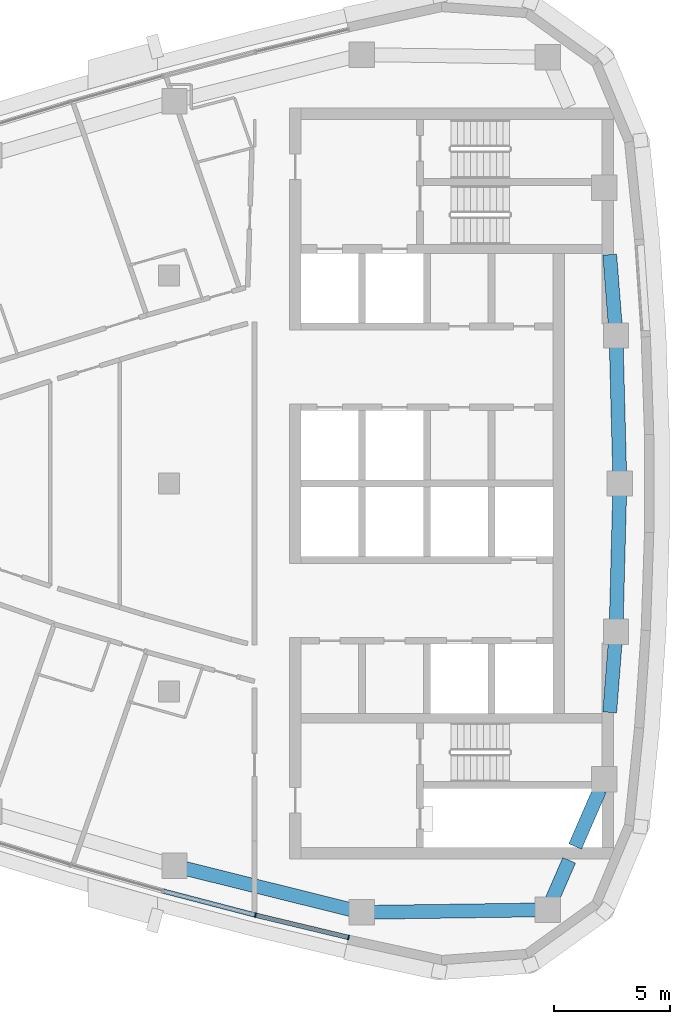
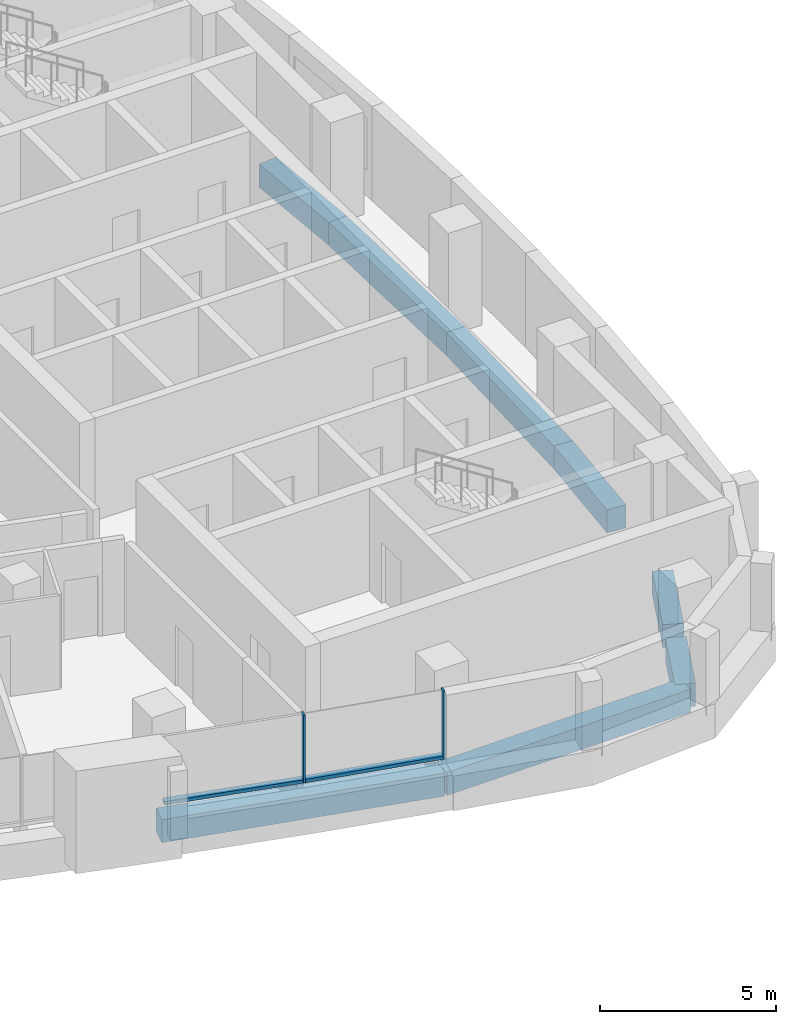
# One storey, part 4 of 14: 8 beams, 4 members, 1 element without a shape of its own.
"""IFC4 building model written with IfcOpenShell, lengths in metres."""

from ifc_helpers import new_model, si_unit, direction, frame, origin, origin_2d, place, context, subcontext, project, spatial, rectangle, extrude, material, layer, layer_set, material_profile, profile_set, type_object, element, aggregate, save


model = new_model("IFC4")

# Units and contexts
model_context = context("Model", 3, precision=1e-05, world=origin(), true_north=direction((0.0, 1.0)))
body_context = subcontext(model_context, "Body", "Model", "MODEL_VIEW")
ifc_project = project(units=[si_unit("LENGTHUNIT", "METRE"), si_unit("AREAUNIT", "SQUARE_METRE"), si_unit("VOLUMEUNIT", "CUBIC_METRE"), si_unit("PLANEANGLEUNIT", "RADIAN"), si_unit("MASSUNIT", "GRAM", prefix="KILO")], contexts=[model_context])

# Site, building, storey
site_placement = place(None, origin())
site = spatial("IfcSite", under=ifc_project, at=site_placement, CompositionType="ELEMENT")
building_placement = place(site_placement, origin())
building = spatial("IfcBuilding", under=site, at=building_placement, Name="Ostrand Prow Hotel Tower", CompositionType="ELEMENT")
storey_placement = place(building_placement, frame((0.0, 0.0, 296.300048828125)))
storey = spatial("IfcBuildingStorey", under=building, at=storey_placement, Name="L75", CompositionType="ELEMENT", Elevation=296.300048828125)

# Beams
ifc_material_1 = material(Name="Concrete C50/60", Category="concrete")
ifc_material_profile_1 = material_profile(ifc_material_1, rectangle(XDim=0.60009765625, YDim=0.800048828125, at=origin_2d()), Name="RC 600x800")
ifc_profile_set_1 = profile_set([ifc_material_profile_1], Name="Concrete C50/60")
beam_type = type_object("IfcBeamType", Name="Edge beam 600x800 C50/60", PredefinedType="SPANDREL", material=ifc_profile_set_1)
beam_1_placement = place(storey_placement, frame((45.234619140625, -16.53857421875, -0.699951171875), z_axis=(0.970456465292, -0.241276291775, 0.0), x_axis=(0.241276291775, 0.970456465292, 0.0)))
element("IfcBeam", 1, at=beam_1_placement, inside=storey, type_object=beam_type, Name="Edge beam S5-S6", PredefinedType="SPANDREL", context=body_context, shape_type="SweptSolid", body=[
    extrude(rectangle(XDim=0.60009765625, YDim=0.800048828125, at=origin_2d()), origin(), (0.0, 0.0, 1.0), 8.348876953125),
])
beam_2_placement = place(storey_placement, frame((53.3369140625, -18.552978515625, -0.699951171875), z_axis=(0.999900689486, 0.014092947356, 0.0), x_axis=(-0.014092947356, 0.999900689486, 0.0)))
element("IfcBeam", 2, at=beam_2_placement, inside=storey, type_object=beam_type, Name="Edge beam S6-SE", PredefinedType="SPANDREL", context=body_context, shape_type="SweptSolid", body=[
    extrude(rectangle(XDim=0.60009765625, YDim=0.800048828125, at=origin_2d()), origin(), (0.0, 0.0, 1.0), 8.0380859375),
])
beam_3_placement = place(storey_placement, frame((61.374267578125, -18.439697265625, -0.699951171875), z_axis=(0.398863844187, 0.91701016014, 0.0), x_axis=(-0.91701016014, 0.398863844187, 0.0)))
element("IfcBeam", 3, at=beam_3_placement, inside=storey, type_object=beam_type, Name="Edge beam SE-B1", PredefinedType="SPANDREL", context=body_context, shape_type="SweptSolid", body=[
    extrude(rectangle(XDim=0.60009765625, YDim=0.800048828125, at=origin_2d()), origin(), (0.0, 0.0, 1.0), 2.333251953125),
])
beam_4_placement = place(storey_placement, frame((62.56591796875, -15.699951171875, -0.699951171875), z_axis=(0.398799624102, 0.917038090712, 0.0), x_axis=(-0.917038090712, 0.398799624102, 0.0)))
element("IfcBeam", 4, at=beam_4_placement, inside=storey, type_object=beam_type, Name="Edge beam SE-B1", PredefinedType="SPANDREL", context=body_context, shape_type="SweptSolid", body=[
    extrude(rectangle(XDim=0.60009765625, YDim=0.800048828125, at=origin_2d()), origin(), (0.0, 0.0, 1.0), 2.671630859375),
])
beam_5_placement = place(storey_placement, frame((64.058349609375, -9.89990234375, -0.699951171875), z_axis=(0.078240080308, 0.996934546414, 0.0), x_axis=(-0.996934546414, 0.078240080308, 0.0)))
element("IfcBeam", 5, at=beam_5_placement, inside=storey, type_object=beam_type, Name="Edge beam B1-B2", PredefinedType="SPANDREL", context=body_context, shape_type="SweptSolid", body=[
    extrude(rectangle(XDim=0.60009765625, YDim=0.800048828125, at=origin_2d()), origin(), (0.0, 0.0, 1.0), 3.50732421875),
])
for number, where, z_axis, x_axis, name in (
    (6, (64.332763671875, -6.4033203125, -0.699951171875), (0.026108223987, 0.999659122221, 0.0), (-0.999659122221, 0.026108223987, 0.0), "Edge beam B2-B3"),
    (7, (64.5, 0.0, -0.699951171875), (-0.026108223987, 0.999659122221, 0.0), (-0.999659122221, -0.026108223987, 0.0), "Edge beam B3-B4"),
):
    element("IfcBeam", number, at=place(storey_placement, frame(where, z_axis=z_axis, x_axis=x_axis)), inside=storey, type_object=beam_type, Name=name, PredefinedType="SPANDREL", context=body_context, shape_type="SweptSolid", body=[
        extrude(rectangle(XDim=0.60009765625, YDim=0.800048828125, at=origin_2d()), origin(), (0.0, 0.0, 1.0), 6.405517578125),
    ])
beam_6_placement = place(storey_placement, frame((64.332763671875, 6.4033203125, -0.699951171875), z_axis=(-0.078240080308, 0.996934546414, 0.0), x_axis=(-0.996934546414, -0.078240080308, 0.0)))
element("IfcBeam", 8, at=beam_6_placement, inside=storey, type_object=beam_type, Name="Edge beam B4-B5", PredefinedType="SPANDREL", context=body_context, shape_type="SweptSolid", body=[
    extrude(rectangle(XDim=0.60009765625, YDim=0.800048828125, at=origin_2d()), origin(), (0.0, 0.0, 1.0), 3.50732421875),
])

# Curtain wall, members
ifc_material_2 = material(Name="Insulated glass in bronze anodised frame", Category="glass")
ifc_layer = layer(ifc_material_2, 0.199951171875)
ifc_layer_set = layer_set([ifc_layer], Name="Insulated glass in bronze anodised frame")
curtain_wall_type = type_object("IfcCurtainWallType", Name="Strip curtain wall, fritted glass over bronze spandrel", PredefinedType="NOTDEFINED", material=ifc_layer_set)
curtain_wall_placement = place(storey_placement, origin())
curtain_wall = element("IfcCurtainWall", 9, at=curtain_wall_placement, inside=storey, type_object=curtain_wall_type, Name="CW1 run CWS5", PredefinedType="NOTDEFINED")
ifc_material_3 = material(Name="Bronze anodised aluminium", Category="aluminium")
ifc_material_profile_2 = material_profile(ifc_material_3, rectangle(XDim=0.199951171875, YDim=0.06005859375, at=origin_2d()), Name="Mullion 60x200 bronze anodised aluminium")
ifc_profile_set_2 = profile_set([ifc_material_profile_2], Name="Bronze anodised aluminium")
member_type_1 = type_object("IfcMemberType", Name="Mullion 60x200 bronze anodised aluminium", PredefinedType="MULLION", material=ifc_profile_set_2)
member_1_placement = place(storey_placement, frame((48.734619140625, -18.6708984375, 0.89990234375), z_axis=(0.0, 0.0, 1.0), x_axis=(0.232746096028, 0.972537533869, 0.0)))
member_1 = element("IfcMember", 10, at=member_1_placement, type_object=member_type_1, Name="CW1 mullion 2", PredefinedType="MULLION", context=body_context, shape_type="SweptSolid", body=[
    extrude(rectangle(XDim=0.199951171875, YDim=0.06005859375, at=origin_2d()), origin(), (0.0, 0.0, 1.0), 2.35009765625),
])
member_2_placement = place(storey_placement, frame((52.7607421875, -19.634521484375, 0.89990234375), z_axis=(0.0, 0.0, 1.0), x_axis=(0.232746096028, 0.972537533869, 0.0)))
member_2 = element("IfcMember", 11, at=member_2_placement, type_object=member_type_1, Name="CW1 mullion 3", PredefinedType="MULLION", context=body_context, shape_type="SweptSolid", body=[
    extrude(rectangle(XDim=0.199951171875, YDim=0.06005859375, at=origin_2d()), origin(), (0.0, 0.0, 1.0), 2.35009765625),
])
ifc_material_4 = material(Name="Bronze anodised aluminium", Category="aluminium")
ifc_material_profile_3 = material_profile(ifc_material_4, rectangle(XDim=0.199951171875, YDim=0.1201171875, at=origin_2d()), Name="Transom 120x200 bronze anodised aluminium")
ifc_profile_set_3 = profile_set([ifc_material_profile_3], Name="Bronze anodised aluminium")
member_type_2 = type_object("IfcMemberType", Name="Transom 120x200 bronze anodised aluminium", PredefinedType="USERDEFINED", material=ifc_profile_set_3)
member_3_placement = place(storey_placement, frame((44.7578125, -17.63427734375, 0.9599609375), z_axis=(0.967664917891, -0.252239185461, 0.0), x_axis=(0.252239185461, 0.967664917891, 0.0)))
member_3 = element("IfcMember", 12, at=member_3_placement, type_object=member_type_2, Name="CW1 transom 1.1", ObjectType="TRANSOM", PredefinedType="USERDEFINED", context=body_context, shape_type="SweptSolid", body=[
    extrude(rectangle(XDim=0.199951171875, YDim=0.1201171875, at=origin_2d()), origin(), (0.0, 0.0, 1.0), 4.07958984375),
])
member_4_placement = place(storey_placement, frame((48.763671875, -18.677978515625, 0.9599609375), z_axis=(0.972542980558, -0.232723335675, 0.0), x_axis=(0.232723335675, 0.972542980558, 0.0)))
member_4 = element("IfcMember", 13, at=member_4_placement, type_object=member_type_2, Name="CW1 transom 2.1", ObjectType="TRANSOM", PredefinedType="USERDEFINED", context=body_context, shape_type="SweptSolid", body=[
    extrude(rectangle(XDim=0.199951171875, YDim=0.1201171875, at=origin_2d()), origin(), (0.0, 0.0, 1.0), 4.079833984375),
])
aggregate(curtain_wall, [member_1, member_2, member_3, member_4])

save(model, "model.ifc")
